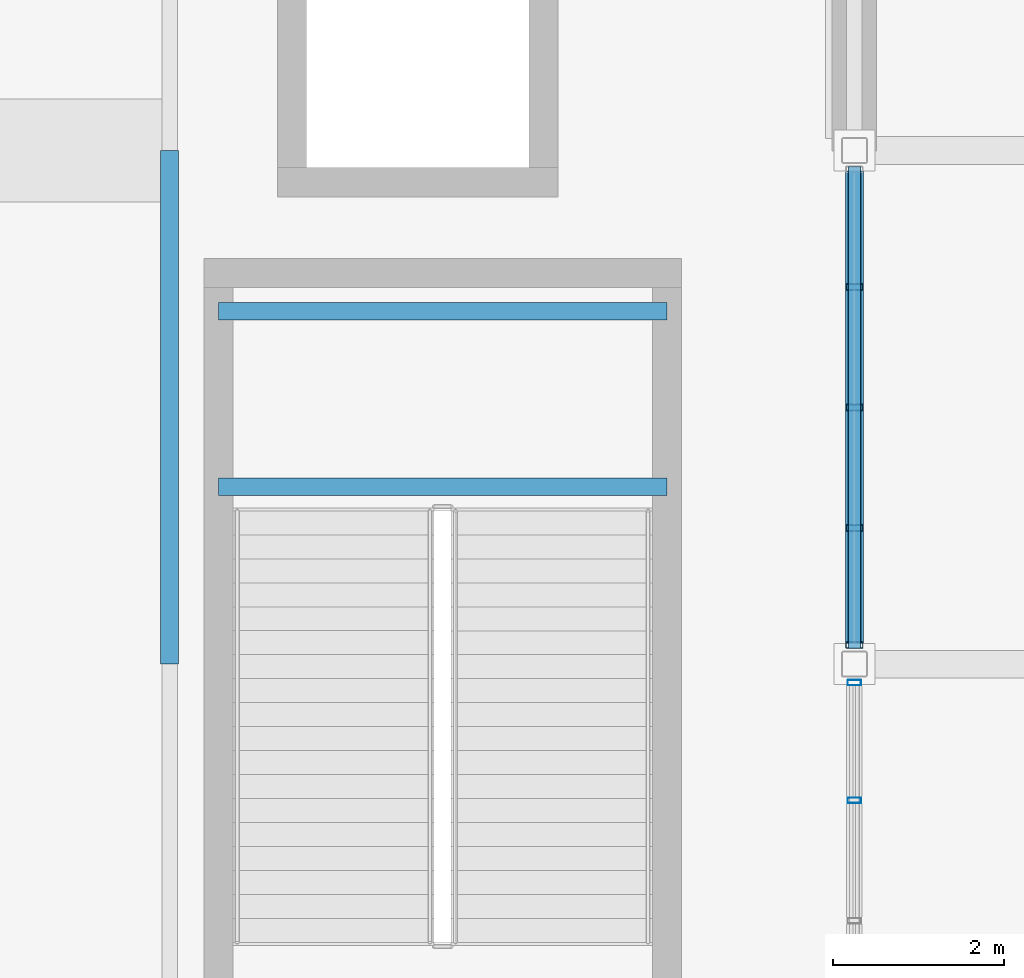
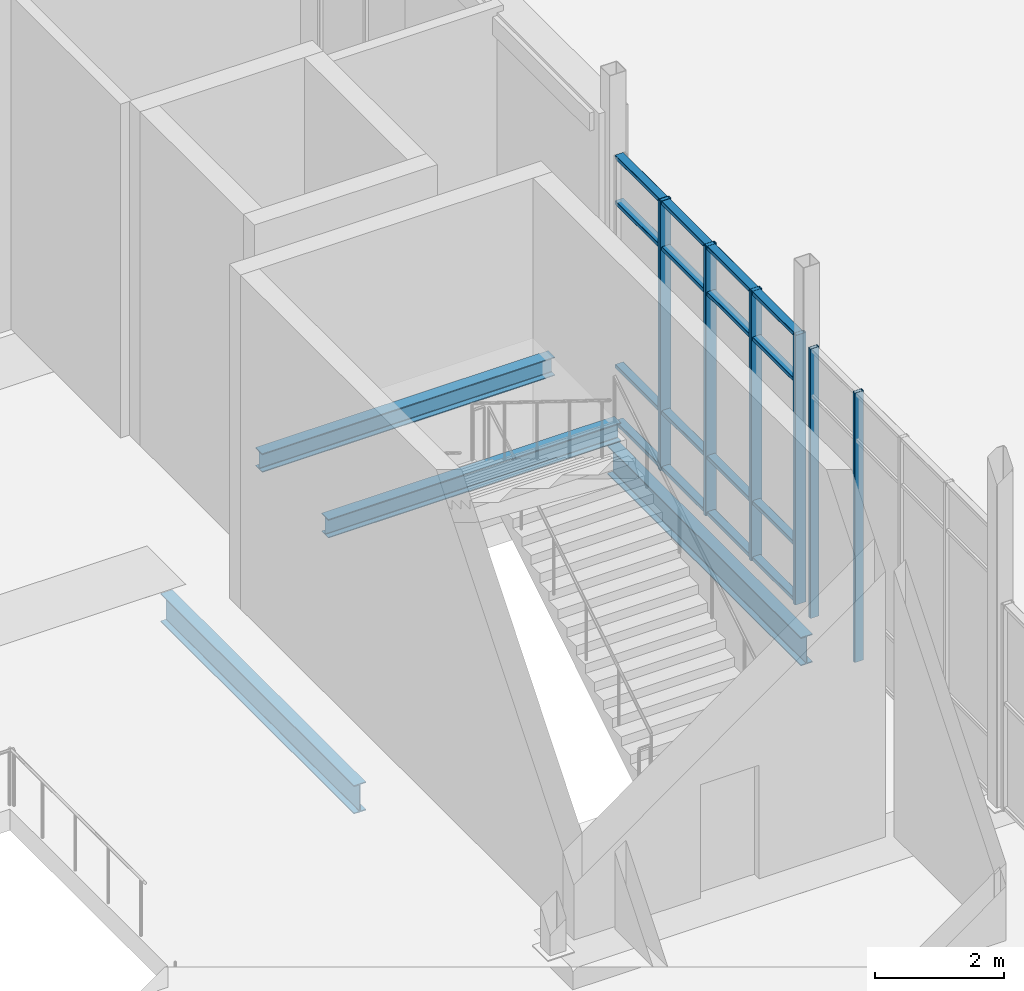
# One storey, part 34 of 140: 10 members, 4 beams, 2 elements without a shape of their own.
"""IFC4 building model written with IfcOpenShell, lengths in metres."""

import ifcopenshell
import ifcopenshell.guid

model = None  # the IFC model being written
_history = None  # IfcOwnerHistory: only IFC2X3 demands one
_inside = {}  # id of a spatial element -> (the spatial element, [elements in it])
_under = {}  # id of a project, library or spatial element -> (it, [spatial elements below it])
_declared = {}  # id of a project -> (the project, [libraries it declares])
_typed = {}  # id of a type object -> (the type object, [elements of that type])
_made_of = {}  # id of a material, layer set ... -> (it, [elements and type objects made of it])


def new_model(schema):
    """Start an empty IFC model of exactly this schema.

    Asked for "IFC4X3", IfcOpenShell would pick the latest addendum, in which some entities
    have other attributes; the version numbers below select the first issue.
    IFC2X3 requires an IfcOwnerHistory on every rooted entity: one is made here for all.
    """
    global model, _history
    if schema == "IFC4X3":
        model = ifcopenshell.file(schema_version=(4, 3, 0, 0))
    else:
        model = ifcopenshell.file(schema=schema)
    _inside.clear()
    _under.clear()
    _declared.clear()
    _typed.clear()
    _made_of.clear()
    _history = None
    if model.schema == "IFC2X3":
        org = make("IfcOrganization", Name="unknown")
        user = make(
            "IfcPersonAndOrganization",
            ThePerson=make("IfcPerson", FamilyName="unknown"),
            TheOrganization=org,
        )
        app = make(
            "IfcApplication",
            ApplicationDeveloper=org,
            Version="unknown",
            ApplicationFullName="unknown",
            ApplicationIdentifier="unknown",
        )
        _history = make(
            "IfcOwnerHistory",
            OwningUser=user,
            OwningApplication=app,
            ChangeAction="ADDED",
            CreationDate=0,
        )
    return model


def make(cls, **values):
    """One entity of the class cls with the attributes given. An attribute that is None is left unset."""
    return model.create_entity(
        cls, **{name: value for name, value in values.items() if value is not None}
    )


def rooted(cls, **values):
    """An entity with a GlobalId (a new one), such as an element, a storey or a relation."""
    return make(cls, GlobalId=ifcopenshell.guid.new(), OwnerHistory=_history, **values)


def si_unit(unit_type, name, prefix=None):
    """IfcSIUnit, for example si_unit("LENGTHUNIT", "METRE", prefix="MILLI")."""
    return make("IfcSIUnit", UnitType=unit_type, Prefix=prefix, Name=name)


def assignment(units):
    """IfcUnitAssignment: the units of a project."""
    return None if units is None else make("IfcUnitAssignment", Units=units)


def point(xyz):
    """IfcCartesianPoint."""
    return None if xyz is None else make("IfcCartesianPoint", Coordinates=xyz)


def direction(xyz):
    """IfcDirection."""
    return None if xyz is None else make("IfcDirection", DirectionRatios=xyz)


def frame(location, z_axis=None, x_axis=None):
    """IfcAxis2Placement3D, a coordinate frame: its origin and axes. An axis left out is left unset."""
    return make(
        "IfcAxis2Placement3D",
        Location=point(location),
        Axis=direction(z_axis),
        RefDirection=direction(x_axis),
    )


def frame_2d(location, x_axis=None):
    """IfcAxis2Placement2D, a coordinate frame in the plane: its origin and x axis."""
    return make(
        "IfcAxis2Placement2D", Location=point(location), RefDirection=direction(x_axis)
    )


def origin():
    """The frame at (0, 0, 0) with its axes left unset."""
    return frame((0.0, 0.0, 0.0))


def origin_2d():
    """The frame at (0, 0) in the plane with its x axis left unset."""
    return frame_2d((0.0, 0.0))


def place(relative_to, where):
    """IfcLocalPlacement: puts the frame where relative to a parent placement (None: the world)."""
    return make(
        "IfcLocalPlacement", PlacementRelTo=relative_to, RelativePlacement=where
    )


def context(
    kind, dimensions, precision=None, world=None, true_north=None, identifier=None
):
    """IfcGeometricRepresentationContext, for example the 3D "Model" context."""
    return make(
        "IfcGeometricRepresentationContext",
        ContextIdentifier=identifier,
        ContextType=kind,
        CoordinateSpaceDimension=dimensions,
        Precision=precision,
        WorldCoordinateSystem=world,
        TrueNorth=true_north,
    )


def subcontext(parent, identifier, kind, view, scale=None):
    """IfcGeometricRepresentationSubContext, for example "Body" below "Model"."""
    return make(
        "IfcGeometricRepresentationSubContext",
        ContextIdentifier=identifier,
        ContextType=kind,
        ParentContext=parent,
        TargetScale=scale,
        TargetView=view,
    )


def project(units=None, contexts=None):
    """IfcProject with its units and contexts."""
    return rooted(
        "IfcProject",
        Name="project",
        RepresentationContexts=contexts,
        UnitsInContext=assignment(units),
    )


def spatial(cls, under=None, at=None, **own):
    """A site, building, storey or space (cls), placed at a placement, below another one or the project."""
    s = rooted(cls, ObjectPlacement=at, **own)
    if under is not None:
        _under.setdefault(under.id(), (under, []))[1].append(s)
    return s


def profile(cls, at=None, kind="AREA", **sizes):
    """A parametric profile (cls). Its sizes go by their IFC names, for example OverallWidth=200.0."""
    return make(cls, ProfileType=kind, Position=at, **sizes)


def hollow_rectangle(**sizes):
    """IfcRectangleHollowProfileDef."""
    return profile("IfcRectangleHollowProfileDef", **sizes)


def i_section(**sizes):
    """IfcIShapeProfileDef."""
    return profile("IfcIShapeProfileDef", **sizes)


def extrude(swept, where, along, depth):
    """IfcExtrudedAreaSolid: the profile swept, set in the frame where, extruded along a direction by depth."""
    return make(
        "IfcExtrudedAreaSolid",
        SweptArea=swept,
        Position=where,
        ExtrudedDirection=direction(along),
        Depth=depth,
    )


def shape(context_of_items, identifier, shape_type, items):
    """IfcShapeRepresentation: the items that make up one representation, for example the "Body"."""
    return make(
        "IfcShapeRepresentation",
        ContextOfItems=context_of_items,
        RepresentationIdentifier=identifier,
        RepresentationType=shape_type,
        Items=items,
    )


def material(Name=None, Category=None):
    """IfcMaterial."""
    return make("IfcMaterial", Name=Name, Category=Category)


def material_profile(
    of_material, cross_section, Name=None, Category=None, Priority=None
):
    """IfcMaterialProfile: a cross section and its material."""
    return make(
        "IfcMaterialProfile",
        Name=Name,
        Material=of_material,
        Profile=cross_section,
        Priority=Priority,
        Category=Category,
    )


def profile_set(profiles, Name=None, composite=None):
    """IfcMaterialProfileSet."""
    return make(
        "IfcMaterialProfileSet",
        Name=Name,
        MaterialProfiles=profiles,
        CompositeProfile=composite,
    )


def made_of(thing, what):
    """Note that an element or type object is made of a material, layer set ...; save() writes the relation."""
    if what is not None:
        _made_of.setdefault(what.id(), (what, []))[1].append(thing)
    return thing


def type_object(cls, material=None, **own):
    """A type object (cls), such as IfcWallType, which elements share."""
    return made_of(rooted(cls, **own), material)


def element(
    cls,
    number,
    at=None,
    inside=None,
    cuts=None,
    type_object=None,
    material=None,
    context=None,
    identifier="Body",
    shape_type=None,
    held_by="IfcProductDefinitionShape",
    body=None,
    shapes=None,
    **own,
):
    """One element of the class cls, such as IfcWall. Its Tag is "e" and its number.

    at: its placement. inside: the storey or other place that contains it. cuts: it is an
    opening in that element (IfcRelVoidsElement). A single representation is given by context,
    identifier, shape_type and body (its items); several are given by shapes. held_by: the class
    of the entity that holds the representations. save() writes the other relations.
    """
    e = rooted(cls, Tag="e%d" % number, ObjectPlacement=at, **own)
    if body is not None:
        shapes = [shape(context, identifier, shape_type, body)]
    if shapes is not None:
        e.Representation = make(held_by, Representations=shapes)
    if inside is not None:
        _inside.setdefault(inside.id(), (inside, []))[1].append(e)
    if cuts is not None:
        rooted(
            "IfcRelVoidsElement", RelatingBuildingElement=cuts, RelatedOpeningElement=e
        )
    if type_object is not None:
        _typed.setdefault(type_object.id(), (type_object, []))[1].append(e)
    return made_of(e, material)


def aggregate(whole, parts):
    """IfcRelAggregates: a whole, such as a stair, and the parts it consists of."""
    return rooted("IfcRelAggregates", RelatingObject=whole, RelatedObjects=parts)


def save(model, path):
    """Write the relations noted so far, then the file.

    IfcRelAggregates (storeys below a building ...), IfcRelContainedInSpatialStructure (elements
    in a storey), IfcRelDefinesByType, IfcRelAssociatesMaterial and IfcRelDeclares: one each for
    every whole, place, type object, material and project.
    """
    for whole, parts in _under.values():
        aggregate(whole, parts)
    for where, things in _inside.values():
        rooted(
            "IfcRelContainedInSpatialStructure",
            RelatedElements=things,
            RelatingStructure=where,
        )
    for kind, things in _typed.values():
        rooted("IfcRelDefinesByType", RelatedObjects=things, RelatingType=kind)
    for what, things in _made_of.values():
        rooted("IfcRelAssociatesMaterial", RelatedObjects=things, RelatingMaterial=what)
    for by, libraries in _declared.values():
        rooted("IfcRelDeclares", RelatingContext=by, RelatedDefinitions=libraries)
    model.write(path)


model = new_model("IFC4")

# Units and contexts
model_context = context("Model", 3, precision=1e-05, world=origin(), true_north=direction((0.0, 1.0)))
body_context = subcontext(model_context, "Body", "Model", "MODEL_VIEW")
ifc_project = project(units=[si_unit("LENGTHUNIT", "METRE"), si_unit("AREAUNIT", "SQUARE_METRE"), si_unit("VOLUMEUNIT", "CUBIC_METRE"), si_unit("PLANEANGLEUNIT", "RADIAN"), si_unit("MASSUNIT", "GRAM", prefix="KILO")], contexts=[model_context])

# Site, building, storey
site_placement = place(None, origin())
site = spatial("IfcSite", under=ifc_project, at=site_placement, CompositionType="ELEMENT")
building_placement = place(site_placement, origin())
building = spatial("IfcBuilding", under=site, at=building_placement, Name="Verrall Gate Interchange", CompositionType="ELEMENT")
storey_placement = place(building_placement, origin())
storey = spatial("IfcBuildingStorey", under=building, at=storey_placement, Name="L01", CompositionType="ELEMENT", Elevation=0.0)

# Beams
ifc_material_1 = material(Name="Structural Steel CSA G40.21 350W", Category="steel")
ifc_material_profile_1 = material_profile(ifc_material_1, i_section(OverallWidth=0.2109375, OverallDepth=0.5390625, WebThickness=0.01171875, FlangeThickness=0.018798828125, FilletRadius=0.013916015625, at=origin_2d()), Name="W530x109")
ifc_profile_set_1 = profile_set([ifc_material_profile_1], Name="Structural Steel CSA G40.21 350W")
beam_type_1 = type_object("IfcBeamType", Name="B-10 Structural Beam W530x109", PredefinedType="BEAM", material=ifc_profile_set_1)
for number, where, z_axis, x_axis, name in (
    (1, (100.0, 22.0, -0.76953125), (0.0, 1.0, 0.0), (-1.0, 0.0, 0.0), "L01 Girder BM-L01-1162 (B-10)"),
    (2, (108.0, 22.0, -0.76953125), (0.0, 1.0, 0.0), (-1.0, 0.0, 0.0), "L01 Girder BM-L01-1173 (B-10)"),
):
    element("IfcBeam", number, at=place(storey_placement, frame(where, z_axis=z_axis, x_axis=x_axis)), inside=storey, type_object=beam_type_1, Name=name, PredefinedType="BEAM", context=body_context, shape_type="SweptSolid", body=[
        extrude(i_section(OverallWidth=0.2109375, OverallDepth=0.5390625, WebThickness=0.01171875, FlangeThickness=0.018798828125, FilletRadius=0.013916015625, at=origin_2d()), origin(), (0.0, 0.0, 1.0), 6.0),
    ])
ifc_material_2 = material(Name="Structural Steel CSA G40.21 350W", Category="steel")
ifc_material_profile_2 = material_profile(ifc_material_2, i_section(OverallWidth=0.205078125, OverallDepth=0.35400390625, WebThickness=0.009521484375, FlangeThickness=0.016845703125, FilletRadius=0.012939453125, at=origin_2d()), Name="W360x79")
ifc_profile_set_2 = profile_set([ifc_material_profile_2], Name="Structural Steel CSA G40.21 350W")
beam_type_2 = type_object("IfcBeamType", Name="B-14 Structural Beam W360x79", PredefinedType="BEAM", material=ifc_profile_set_2)
for number, where, z_axis, x_axis, name in (
    (3, (100.570068359375, 24.070068359375, 2.929931640625), (1.0, 0.0, 0.0), (0.0, 1.0, 0.0), "L01 Core C6 Mid-Landing Beam 1"),
    (4, (100.570068359375, 26.1201171875, 2.929931640625), (1.0, 0.0, 0.0), (0.0, 1.0, 0.0), "L01 Core C6 Mid-Landing Beam 2"),
):
    element("IfcBeam", number, at=place(storey_placement, frame(where, z_axis=z_axis, x_axis=x_axis)), inside=storey, type_object=beam_type_2, Name=name, PredefinedType="BEAM", context=body_context, shape_type="SweptSolid", body=[
        extrude(i_section(OverallWidth=0.205078125, OverallDepth=0.35400390625, WebThickness=0.009521484375, FlangeThickness=0.016845703125, FilletRadius=0.012939453125, at=origin_2d()), origin(), (0.0, 0.0, 1.0), 5.239990234375),
    ])

# Curtain wall, members
ifc_material_3 = material(Name="Thermally Broken Anodized Aluminium Curtain Wall Framing", Category="aluminium")
curtain_wall_type = type_object("IfcCurtainWallType", Name="CW-04 Unitized Curtain Wall 5631x5100", PredefinedType="NOTDEFINED", material=ifc_material_3)
curtain_wall_1_placement = place(storey_placement, origin())
curtain_wall_1 = element("IfcCurtainWall", 5, at=curtain_wall_1_placement, inside=storey, type_object=curtain_wall_type, Name="L01 Unitized Curtain Wall CW-L01-004", PredefinedType="NOTDEFINED")
ifc_material_4 = material(Name="Thermally Broken Anodized Aluminium Curtain Wall Framing", Category="aluminium")
ifc_material_profile_3 = material_profile(ifc_material_4, hollow_rectangle(XDim=0.06494140625, YDim=0.159912109375, WallThickness=0.00390625, InnerFilletRadius=0.00390625, OuterFilletRadius=0.008056640625, at=origin_2d()), Name="CWM160x65x4")
ifc_profile_set_3 = profile_set([ifc_material_profile_3], Name="Thermally Broken Anodized Aluminium Curtain Wall Framing")
member_type_1 = type_object("IfcMemberType", Name="CM-01 Curtain Mullion CWM160x65x4", PredefinedType="MULLION", material=ifc_profile_set_3)
member_1_placement = place(storey_placement, frame((108.0, 20.40771484375, 0.0), z_axis=(0.0, 0.0, 1.0), x_axis=(0.0, 1.0, 0.0)))
member_1 = element("IfcMember", 6, at=member_1_placement, type_object=member_type_1, Name="CW-L01-004 Mullion 4", PredefinedType="MULLION", context=body_context, shape_type="SweptSolid", body=[
    extrude(hollow_rectangle(XDim=0.06494140625, YDim=0.159912109375, WallThickness=0.00390625, InnerFilletRadius=0.00390625, OuterFilletRadius=0.008056640625, at=origin_2d()), origin(), (0.0, 0.0, 1.0), 5.10009765625),
])
member_2_placement = place(storey_placement, frame((108.0, 21.782958984375, 0.0), z_axis=(0.0, 0.0, 1.0), x_axis=(0.0, 1.0, 0.0)))
member_2 = element("IfcMember", 7, at=member_2_placement, type_object=member_type_1, Name="CW-L01-004 Mullion 5", PredefinedType="MULLION", context=body_context, shape_type="SweptSolid", body=[
    extrude(hollow_rectangle(XDim=0.06494140625, YDim=0.159912109375, WallThickness=0.00390625, InnerFilletRadius=0.00390625, OuterFilletRadius=0.008056640625, at=origin_2d()), origin(), (0.0, 0.0, 1.0), 5.10009765625),
])
aggregate(curtain_wall_1, [member_1, member_2])

curtain_wall_2_placement = place(storey_placement, origin())
curtain_wall_2 = element("IfcCurtainWall", 8, at=curtain_wall_2_placement, inside=storey, type_object=curtain_wall_type, Name="L01 Unitized Curtain Wall CW-L01-005", PredefinedType="NOTDEFINED")
ifc_material_5 = material(Name="Thermally Broken Anodized Aluminium Curtain Wall Framing", Category="aluminium")
ifc_material_profile_4 = material_profile(ifc_material_5, hollow_rectangle(XDim=0.074951171875, YDim=0.199951171875, WallThickness=0.0048828125, InnerFilletRadius=0.0048828125, OuterFilletRadius=0.010009765625, at=origin_2d()), Name="CWM200x75x5")
ifc_profile_set_4 = profile_set([ifc_material_profile_4], Name="Thermally Broken Anodized Aluminium Curtain Wall Framing")
member_type_2 = type_object("IfcMemberType", Name="CM-02 Curtain Mullion CWM200x75x5", PredefinedType="MULLION", material=ifc_profile_set_4)
member_3_placement = place(storey_placement, frame((108.0, 22.221923828125, 0.0), z_axis=(0.0, 0.0, 1.0), x_axis=(0.0, 1.0, 0.0)))
member_3 = element("IfcMember", 9, at=member_3_placement, type_object=member_type_2, Name="CW-L01-005 Mullion 1", PredefinedType="MULLION", context=body_context, shape_type="SweptSolid", body=[
    extrude(hollow_rectangle(XDim=0.074951171875, YDim=0.199951171875, WallThickness=0.0048828125, InnerFilletRadius=0.0048828125, OuterFilletRadius=0.010009765625, at=origin_2d()), origin(), (0.0, 0.0, 1.0), 5.10009765625),
])
member_4_placement = place(storey_placement, frame((108.0, 23.59228515625, 0.0), z_axis=(0.0, 0.0, 1.0), x_axis=(0.0, 1.0, 0.0)))
member_4 = element("IfcMember", 10, at=member_4_placement, type_object=member_type_2, Name="CW-L01-005 Mullion 2", PredefinedType="MULLION", context=body_context, shape_type="SweptSolid", body=[
    extrude(hollow_rectangle(XDim=0.074951171875, YDim=0.199951171875, WallThickness=0.0048828125, InnerFilletRadius=0.0048828125, OuterFilletRadius=0.010009765625, at=origin_2d()), origin(), (0.0, 0.0, 1.0), 5.10009765625),
])
member_5_placement = place(storey_placement, frame((108.0, 25.0, 0.0), z_axis=(0.0, 0.0, 1.0), x_axis=(0.0, 1.0, 0.0)))
member_5 = element("IfcMember", 11, at=member_5_placement, type_object=member_type_2, Name="CW-L01-005 Mullion 3", PredefinedType="MULLION", context=body_context, shape_type="SweptSolid", body=[
    extrude(hollow_rectangle(XDim=0.074951171875, YDim=0.199951171875, WallThickness=0.0048828125, InnerFilletRadius=0.0048828125, OuterFilletRadius=0.010009765625, at=origin_2d()), origin(), (0.0, 0.0, 1.0), 5.10009765625),
])
member_6_placement = place(storey_placement, frame((108.0, 26.40771484375, 0.0), z_axis=(0.0, 0.0, 1.0), x_axis=(0.0, 1.0, 0.0)))
member_6 = element("IfcMember", 12, at=member_6_placement, type_object=member_type_2, Name="CW-L01-005 Mullion 4", PredefinedType="MULLION", context=body_context, shape_type="SweptSolid", body=[
    extrude(hollow_rectangle(XDim=0.074951171875, YDim=0.199951171875, WallThickness=0.0048828125, InnerFilletRadius=0.0048828125, OuterFilletRadius=0.010009765625, at=origin_2d()), origin(), (0.0, 0.0, 1.0), 5.10009765625),
])
ifc_material_6 = material(Name="Thermally Broken Anodized Aluminium Curtain Wall Framing", Category="aluminium")
ifc_material_profile_5 = material_profile(ifc_material_6, hollow_rectangle(XDim=0.14990234375, YDim=0.074951171875, WallThickness=0.00439453125, InnerFilletRadius=0.00439453125, OuterFilletRadius=0.009033203125, at=origin_2d()), Name="CWT150x75x4.5")
ifc_profile_set_5 = profile_set([ifc_material_profile_5], Name="Thermally Broken Anodized Aluminium Curtain Wall Framing")
member_type_3 = type_object("IfcMemberType", Name="CT-02 Curtain Transom CWT150x75x4.5", PredefinedType="USERDEFINED", material=ifc_profile_set_5)
member_7_placement = place(storey_placement, frame((108.0, 22.1845703125, 0.03759765625), z_axis=(0.0, 1.0, 0.0), x_axis=(-1.0, 0.0, 0.0)))
member_7 = element("IfcMember", 13, at=member_7_placement, type_object=member_type_3, Name="CW-L01-005 Transom 1", ObjectType="TRANSOM", PredefinedType="USERDEFINED", context=body_context, shape_type="SweptSolid", body=[
    extrude(hollow_rectangle(XDim=0.14990234375, YDim=0.074951171875, WallThickness=0.00439453125, InnerFilletRadius=0.00439453125, OuterFilletRadius=0.009033203125, at=origin_2d()), origin(), (0.0, 0.0, 1.0), 5.630859375),
])
member_8_placement = place(storey_placement, frame((108.0, 22.1845703125, 1.10009765625), z_axis=(0.0, 1.0, 0.0), x_axis=(-1.0, 0.0, 0.0)))
member_8 = element("IfcMember", 14, at=member_8_placement, type_object=member_type_3, Name="CW-L01-005 Transom 2", ObjectType="TRANSOM", PredefinedType="USERDEFINED", context=body_context, shape_type="SweptSolid", body=[
    extrude(hollow_rectangle(XDim=0.14990234375, YDim=0.074951171875, WallThickness=0.00439453125, InnerFilletRadius=0.00439453125, OuterFilletRadius=0.009033203125, at=origin_2d()), origin(), (0.0, 0.0, 1.0), 5.630859375),
])
member_9_placement = place(storey_placement, frame((108.0, 22.1845703125, 4.199951171875), z_axis=(0.0, 1.0, 0.0), x_axis=(-1.0, 0.0, 0.0)))
member_9 = element("IfcMember", 15, at=member_9_placement, type_object=member_type_3, Name="CW-L01-005 Transom 3", ObjectType="TRANSOM", PredefinedType="USERDEFINED", context=body_context, shape_type="SweptSolid", body=[
    extrude(hollow_rectangle(XDim=0.14990234375, YDim=0.074951171875, WallThickness=0.00439453125, InnerFilletRadius=0.00439453125, OuterFilletRadius=0.009033203125, at=origin_2d()), origin(), (0.0, 0.0, 1.0), 5.630859375),
])
member_10_placement = place(storey_placement, frame((108.0, 22.1845703125, 5.0625), z_axis=(0.0, 1.0, 0.0), x_axis=(-1.0, 0.0, 0.0)))
member_10 = element("IfcMember", 16, at=member_10_placement, type_object=member_type_3, Name="CW-L01-005 Transom 4", ObjectType="TRANSOM", PredefinedType="USERDEFINED", context=body_context, shape_type="SweptSolid", body=[
    extrude(hollow_rectangle(XDim=0.14990234375, YDim=0.074951171875, WallThickness=0.00439453125, InnerFilletRadius=0.00439453125, OuterFilletRadius=0.009033203125, at=origin_2d()), origin(), (0.0, 0.0, 1.0), 5.630859375),
])
aggregate(curtain_wall_2, [member_3, member_4, member_5, member_6, member_7, member_8, member_9, member_10])

save(model, "model.ifc")
